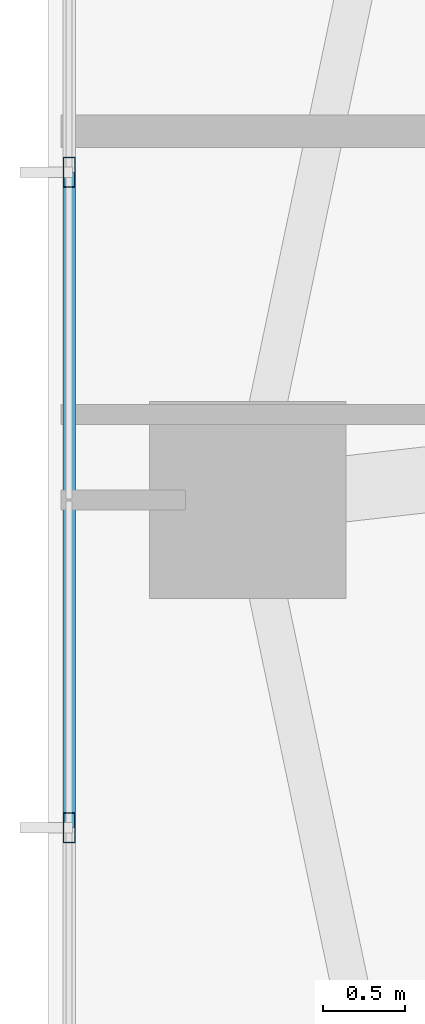
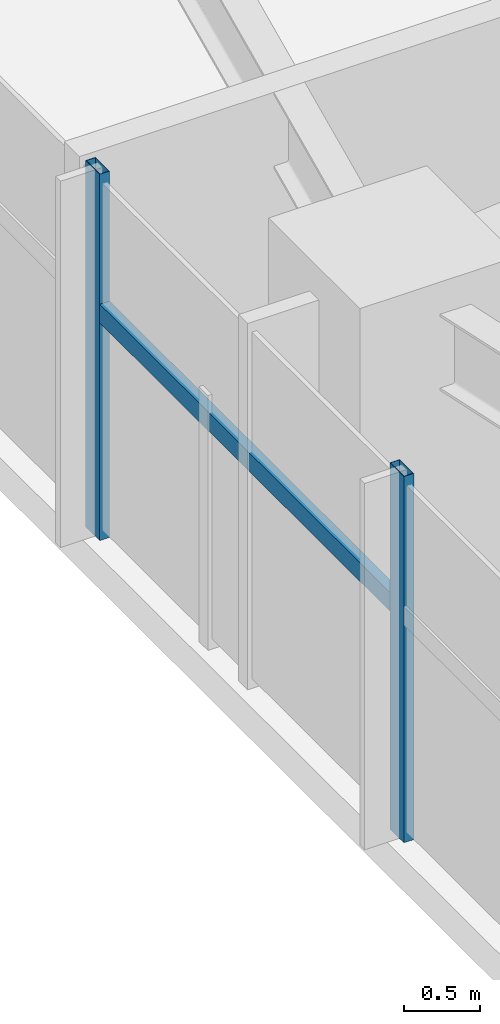
# One storey, part 4 of 25: 3 members, 1 element without a shape of its own.
"""IFC4 building model written with IfcOpenShell, lengths in metres."""

from ifc_helpers import new_model, si_unit, direction, frame, origin, origin_2d, place, context, subcontext, project, spatial, hollow_rectangle, extrude, source, transform, mapped, material, material_profile, profile_set, type_object, type_shapes, element, aggregate, save


model = new_model("IFC4")

# Units and contexts
model_context = context("Model", 3, precision=1e-05, world=origin(), true_north=direction((0.0, 1.0)))
body_context = subcontext(model_context, "Body", "Model", "MODEL_VIEW")
ifc_project = project(units=[si_unit("LENGTHUNIT", "METRE"), si_unit("AREAUNIT", "SQUARE_METRE"), si_unit("VOLUMEUNIT", "CUBIC_METRE"), si_unit("PLANEANGLEUNIT", "RADIAN"), si_unit("MASSUNIT", "GRAM", prefix="KILO")], contexts=[model_context])

# Site, building, storey
site_placement = place(None, origin())
site = spatial("IfcSite", under=ifc_project, at=site_placement, CompositionType="ELEMENT")
building_placement = place(site_placement, origin())
building = spatial("IfcBuilding", under=site, at=building_placement, Name="Astriad Promenade Condominiums", CompositionType="ELEMENT")
storey_placement = place(building_placement, frame((0.0, 0.0, 32.60009765625)))
storey = spatial("IfcBuildingStorey", under=building, at=storey_placement, Name="L08", CompositionType="ELEMENT", Elevation=32.60009765625)

# Curtain wall, members
ifc_material_1 = material(Name="Anodised aluminium Black Dark Glass Unitised", Category="aluminium")
curtain_wall_type = type_object("IfcCurtainWallType", Name="CW-B1-DARK", PredefinedType="USERDEFINED", material=ifc_material_1)
curtain_wall_placement = place(storey_placement, origin())
curtain_wall = element("IfcCurtainWall", 1, at=curtain_wall_placement, inside=storey, type_object=curtain_wall_type, Name="CW-L08-W", ObjectType="UNITISED_CURTAIN_WALL", PredefinedType="USERDEFINED")
ifc_material_2 = material(Name="Anodised aluminium 6063-T6 Black", Category="aluminium")
ifc_material_profile_1 = material_profile(ifc_material_2, hollow_rectangle(XDim=0.074951171875, YDim=0.18505859375, WallThickness=0.00439453125, at=origin_2d()), Name="ALU-MUL-75X185")
ifc_profile_set_1 = profile_set([ifc_material_profile_1], Name="Anodised aluminium 6063-T6 Black")
member_type_1 = type_object("IfcMemberType", Name="MUL-ALU-MUL-75X185", PredefinedType="MULLION", material=ifc_profile_set_1)
shared_shape_1 = source(origin(), body_context, "Body", "SweptSolid", [
    extrude(hollow_rectangle(XDim=0.074951171875, YDim=0.18505859375, WallThickness=0.00439453125, at=origin_2d()), origin(), (0.0, 0.0, 1.0), 2.93994140625),
])
type_shapes(member_type_1, [shared_shape_1])
member_1_placement = place(storey_placement, frame((5.929931640625, 13.199951171875, 0.0), z_axis=(0.0, 0.0, 1.0), x_axis=(1.0, 0.0, 0.0)))
member_1 = element("IfcMember", 2, at=member_1_placement, type_object=member_type_1, Name="CW-L08-W-MUL-02", PredefinedType="MULLION", context=body_context, shape_type="MappedRepresentation", body=[
    mapped(shared_shape_1, transform((0.0, 0.0, 0.0), scale=1.0)),
])
member_2_placement = place(storey_placement, frame((5.929931640625, 17.199951171875, 0.0), z_axis=(0.0, 0.0, 1.0), x_axis=(1.0, 0.0, 0.0)))
member_2 = element("IfcMember", 3, at=member_2_placement, type_object=member_type_1, Name="CW-L08-W-MUL-03", PredefinedType="MULLION", context=body_context, shape_type="MappedRepresentation", body=[
    mapped(shared_shape_1, transform((0.0, 0.0, 0.0), scale=1.0)),
])
ifc_material_profile_2 = material_profile(ifc_material_2, hollow_rectangle(XDim=0.074951171875, YDim=0.14990234375, WallThickness=0.004150390625, at=origin_2d()), Name="ALU-TRN-75X150")
ifc_profile_set_2 = profile_set([ifc_material_profile_2], Name="Anodised aluminium 6063-T6 Black")
member_type_2 = type_object("IfcMemberType", Name="TRN-ALU-TRN-75X150", PredefinedType="USERDEFINED", material=ifc_profile_set_2)
shared_shape_2 = source(origin(), body_context, "Body", "SweptSolid", [
    extrude(hollow_rectangle(XDim=0.074951171875, YDim=0.14990234375, WallThickness=0.004150390625, at=origin_2d()), origin(), (0.0, 0.0, 1.0), 4.0),
])
type_shapes(member_type_2, [shared_shape_2])
member_3_placement = place(storey_placement, frame((5.929931640625, 13.199951171875, 1.82275390625), z_axis=(0.0, 1.0, 0.0), x_axis=(-1.0, 0.0, 0.0)))
member_3 = element("IfcMember", 4, at=member_3_placement, type_object=member_type_2, Name="CW-L08-W-TRN-02-0", ObjectType="TRANSOM", PredefinedType="USERDEFINED", context=body_context, shape_type="MappedRepresentation", body=[
    mapped(shared_shape_2, transform((0.0, 0.0, 0.0), scale=1.0)),
])
aggregate(curtain_wall, [member_1, member_2, member_3])

save(model, "model.ifc")
